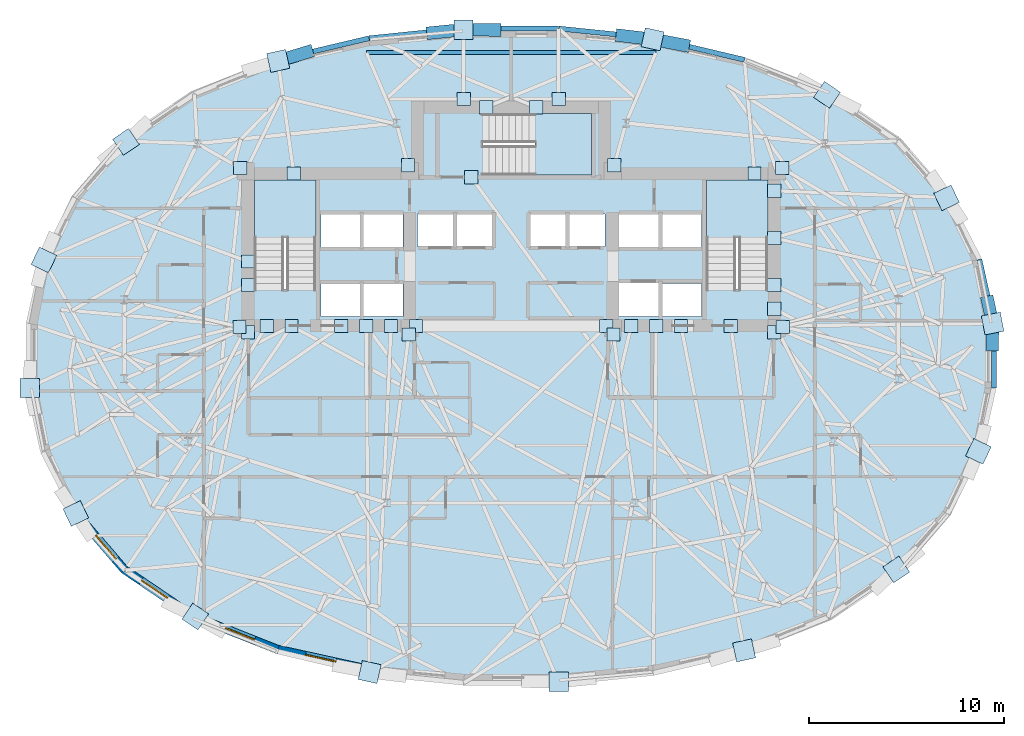
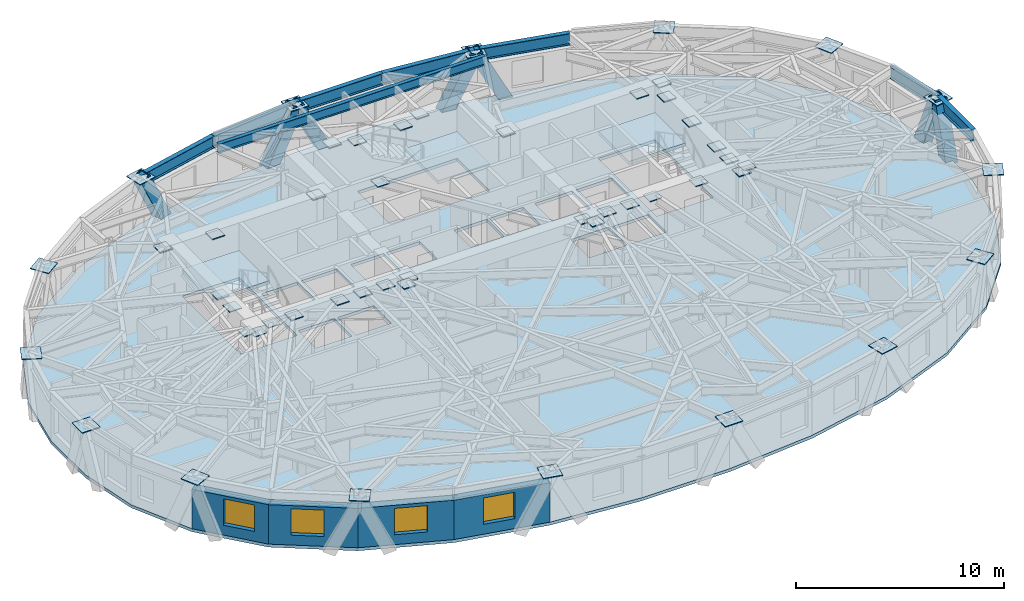
# One storey, part 5 of 14: 50 plates, 8 beams, 7 members, 4 slabs, 4 walls, 4 windows, 4 openings, 3 elements without a shape of their own.
"""IFC4 building model written with IfcOpenShell, lengths in metres."""

import ifcopenshell
import ifcopenshell.guid

model = None  # the IFC model being written
_history = None  # IfcOwnerHistory: only IFC2X3 demands one
_inside = {}  # id of a spatial element -> (the spatial element, [elements in it])
_under = {}  # id of a project, library or spatial element -> (it, [spatial elements below it])
_declared = {}  # id of a project -> (the project, [libraries it declares])
_typed = {}  # id of a type object -> (the type object, [elements of that type])
_made_of = {}  # id of a material, layer set ... -> (it, [elements and type objects made of it])


def new_model(schema):
    """Start an empty IFC model of exactly this schema.

    Asked for "IFC4X3", IfcOpenShell would pick the latest addendum, in which some entities
    have other attributes; the version numbers below select the first issue.
    IFC2X3 requires an IfcOwnerHistory on every rooted entity: one is made here for all.
    """
    global model, _history
    if schema == "IFC4X3":
        model = ifcopenshell.file(schema_version=(4, 3, 0, 0))
    else:
        model = ifcopenshell.file(schema=schema)
    _inside.clear()
    _under.clear()
    _declared.clear()
    _typed.clear()
    _made_of.clear()
    _history = None
    if model.schema == "IFC2X3":
        org = make("IfcOrganization", Name="unknown")
        user = make(
            "IfcPersonAndOrganization",
            ThePerson=make("IfcPerson", FamilyName="unknown"),
            TheOrganization=org,
        )
        app = make(
            "IfcApplication",
            ApplicationDeveloper=org,
            Version="unknown",
            ApplicationFullName="unknown",
            ApplicationIdentifier="unknown",
        )
        _history = make(
            "IfcOwnerHistory",
            OwningUser=user,
            OwningApplication=app,
            ChangeAction="ADDED",
            CreationDate=0,
        )
    return model


def make(cls, **values):
    """One entity of the class cls with the attributes given. An attribute that is None is left unset."""
    return model.create_entity(
        cls, **{name: value for name, value in values.items() if value is not None}
    )


def rooted(cls, **values):
    """An entity with a GlobalId (a new one), such as an element, a storey or a relation."""
    return make(cls, GlobalId=ifcopenshell.guid.new(), OwnerHistory=_history, **values)


def si_unit(unit_type, name, prefix=None):
    """IfcSIUnit, for example si_unit("LENGTHUNIT", "METRE", prefix="MILLI")."""
    return make("IfcSIUnit", UnitType=unit_type, Prefix=prefix, Name=name)


def assignment(units):
    """IfcUnitAssignment: the units of a project."""
    return None if units is None else make("IfcUnitAssignment", Units=units)


def point(xyz):
    """IfcCartesianPoint."""
    return None if xyz is None else make("IfcCartesianPoint", Coordinates=xyz)


def direction(xyz):
    """IfcDirection."""
    return None if xyz is None else make("IfcDirection", DirectionRatios=xyz)


def frame(location, z_axis=None, x_axis=None):
    """IfcAxis2Placement3D, a coordinate frame: its origin and axes. An axis left out is left unset."""
    return make(
        "IfcAxis2Placement3D",
        Location=point(location),
        Axis=direction(z_axis),
        RefDirection=direction(x_axis),
    )


def frame_2d(location, x_axis=None):
    """IfcAxis2Placement2D, a coordinate frame in the plane: its origin and x axis."""
    return make(
        "IfcAxis2Placement2D", Location=point(location), RefDirection=direction(x_axis)
    )


def origin():
    """The frame at (0, 0, 0) with its axes left unset."""
    return frame((0.0, 0.0, 0.0))


def origin_2d():
    """The frame at (0, 0) in the plane with its x axis left unset."""
    return frame_2d((0.0, 0.0))


def place(relative_to, where):
    """IfcLocalPlacement: puts the frame where relative to a parent placement (None: the world)."""
    return make(
        "IfcLocalPlacement", PlacementRelTo=relative_to, RelativePlacement=where
    )


def context(
    kind, dimensions, precision=None, world=None, true_north=None, identifier=None
):
    """IfcGeometricRepresentationContext, for example the 3D "Model" context."""
    return make(
        "IfcGeometricRepresentationContext",
        ContextIdentifier=identifier,
        ContextType=kind,
        CoordinateSpaceDimension=dimensions,
        Precision=precision,
        WorldCoordinateSystem=world,
        TrueNorth=true_north,
    )


def subcontext(parent, identifier, kind, view, scale=None):
    """IfcGeometricRepresentationSubContext, for example "Body" below "Model"."""
    return make(
        "IfcGeometricRepresentationSubContext",
        ContextIdentifier=identifier,
        ContextType=kind,
        ParentContext=parent,
        TargetScale=scale,
        TargetView=view,
    )


def project(units=None, contexts=None):
    """IfcProject with its units and contexts."""
    return rooted(
        "IfcProject",
        Name="project",
        RepresentationContexts=contexts,
        UnitsInContext=assignment(units),
    )


def spatial(cls, under=None, at=None, **own):
    """A site, building, storey or space (cls), placed at a placement, below another one or the project."""
    s = rooted(cls, ObjectPlacement=at, **own)
    if under is not None:
        _under.setdefault(under.id(), (under, []))[1].append(s)
    return s


def polyline(points):
    """IfcPolyline through the points."""
    return make("IfcPolyline", Points=[point(p) for p in points])


def profile(cls, at=None, kind="AREA", **sizes):
    """A parametric profile (cls). Its sizes go by their IFC names, for example OverallWidth=200.0."""
    return make(cls, ProfileType=kind, Position=at, **sizes)


def rectangle(**sizes):
    """IfcRectangleProfileDef."""
    return profile("IfcRectangleProfileDef", **sizes)


def hollow_rectangle(**sizes):
    """IfcRectangleHollowProfileDef."""
    return profile("IfcRectangleHollowProfileDef", **sizes)


def i_section(**sizes):
    """IfcIShapeProfileDef."""
    return profile("IfcIShapeProfileDef", **sizes)


def outline(outer, holes=None, kind="AREA"):
    """IfcArbitraryClosedProfileDef: a profile drawn as a closed curve; with holes, ...WithVoids."""
    if holes is None:
        return make("IfcArbitraryClosedProfileDef", ProfileType=kind, OuterCurve=outer)
    return make(
        "IfcArbitraryProfileDefWithVoids",
        ProfileType=kind,
        OuterCurve=outer,
        InnerCurves=holes,
    )


def extrude(swept, where, along, depth):
    """IfcExtrudedAreaSolid: the profile swept, set in the frame where, extruded along a direction by depth."""
    return make(
        "IfcExtrudedAreaSolid",
        SweptArea=swept,
        Position=where,
        ExtrudedDirection=direction(along),
        Depth=depth,
    )


def shape(context_of_items, identifier, shape_type, items):
    """IfcShapeRepresentation: the items that make up one representation, for example the "Body"."""
    return make(
        "IfcShapeRepresentation",
        ContextOfItems=context_of_items,
        RepresentationIdentifier=identifier,
        RepresentationType=shape_type,
        Items=items,
    )


def material(Name=None, Category=None):
    """IfcMaterial."""
    return make("IfcMaterial", Name=Name, Category=Category)


def layer(
    of_material, thickness, ventilated=None, Name=None, Category=None, Priority=None
):
    """IfcMaterialLayer: one layer of a wall or slab, of a material (None: an air gap)."""
    return make(
        "IfcMaterialLayer",
        Material=of_material,
        LayerThickness=thickness,
        IsVentilated=ventilated,
        Name=Name,
        Category=Category,
        Priority=Priority,
    )


def layer_set(layers, Name=None):
    """IfcMaterialLayerSet."""
    return make("IfcMaterialLayerSet", MaterialLayers=layers, LayerSetName=Name)


def material_profile(
    of_material, cross_section, Name=None, Category=None, Priority=None
):
    """IfcMaterialProfile: a cross section and its material."""
    return make(
        "IfcMaterialProfile",
        Name=Name,
        Material=of_material,
        Profile=cross_section,
        Priority=Priority,
        Category=Category,
    )


def profile_set(profiles, Name=None, composite=None):
    """IfcMaterialProfileSet."""
    return make(
        "IfcMaterialProfileSet",
        Name=Name,
        MaterialProfiles=profiles,
        CompositeProfile=composite,
    )


def made_of(thing, what):
    """Note that an element or type object is made of a material, layer set ...; save() writes the relation."""
    if what is not None:
        _made_of.setdefault(what.id(), (what, []))[1].append(thing)
    return thing


def type_object(cls, material=None, **own):
    """A type object (cls), such as IfcWallType, which elements share."""
    return made_of(rooted(cls, **own), material)


def element(
    cls,
    number,
    at=None,
    inside=None,
    cuts=None,
    type_object=None,
    material=None,
    context=None,
    identifier="Body",
    shape_type=None,
    held_by="IfcProductDefinitionShape",
    body=None,
    shapes=None,
    **own,
):
    """One element of the class cls, such as IfcWall. Its Tag is "e" and its number.

    at: its placement. inside: the storey or other place that contains it. cuts: it is an
    opening in that element (IfcRelVoidsElement). A single representation is given by context,
    identifier, shape_type and body (its items); several are given by shapes. held_by: the class
    of the entity that holds the representations. save() writes the other relations.
    """
    e = rooted(cls, Tag="e%d" % number, ObjectPlacement=at, **own)
    if body is not None:
        shapes = [shape(context, identifier, shape_type, body)]
    if shapes is not None:
        e.Representation = make(held_by, Representations=shapes)
    if inside is not None:
        _inside.setdefault(inside.id(), (inside, []))[1].append(e)
    if cuts is not None:
        rooted(
            "IfcRelVoidsElement", RelatingBuildingElement=cuts, RelatedOpeningElement=e
        )
    if type_object is not None:
        _typed.setdefault(type_object.id(), (type_object, []))[1].append(e)
    return made_of(e, material)


def fill(opening, filler):
    """IfcRelFillsElement: the door or window that sits in an opening."""
    return rooted(
        "IfcRelFillsElement",
        RelatingOpeningElement=opening,
        RelatedBuildingElement=filler,
    )


def aggregate(whole, parts):
    """IfcRelAggregates: a whole, such as a stair, and the parts it consists of."""
    return rooted("IfcRelAggregates", RelatingObject=whole, RelatedObjects=parts)


def save(model, path):
    """Write the relations noted so far, then the file.

    IfcRelAggregates (storeys below a building ...), IfcRelContainedInSpatialStructure (elements
    in a storey), IfcRelDefinesByType, IfcRelAssociatesMaterial and IfcRelDeclares: one each for
    every whole, place, type object, material and project.
    """
    for whole, parts in _under.values():
        aggregate(whole, parts)
    for where, things in _inside.values():
        rooted(
            "IfcRelContainedInSpatialStructure",
            RelatedElements=things,
            RelatingStructure=where,
        )
    for kind, things in _typed.values():
        rooted("IfcRelDefinesByType", RelatedObjects=things, RelatingType=kind)
    for what, things in _made_of.values():
        rooted("IfcRelAssociatesMaterial", RelatedObjects=things, RelatingMaterial=what)
    for by, libraries in _declared.values():
        rooted("IfcRelDeclares", RelatingContext=by, RelatedDefinitions=libraries)
    model.write(path)


model = new_model("IFC4")

# Units and contexts
model_context = context("Model", 3, precision=1e-05, world=origin(), true_north=direction((0.0, 1.0)))
body_context = subcontext(model_context, "Body", "Model", "MODEL_VIEW")
ifc_project = project(units=[si_unit("LENGTHUNIT", "METRE"), si_unit("AREAUNIT", "SQUARE_METRE"), si_unit("VOLUMEUNIT", "CUBIC_METRE"), si_unit("PLANEANGLEUNIT", "RADIAN"), si_unit("MASSUNIT", "GRAM", prefix="KILO")], contexts=[model_context])

# Site, building, storey
site_placement = place(None, origin())
site = spatial("IfcSite", under=ifc_project, at=site_placement, CompositionType="ELEMENT")
building_placement = place(site_placement, origin())
building = spatial("IfcBuilding", under=site, at=building_placement, Name="Keldmark Tower", CompositionType="ELEMENT")
storey_placement = place(building_placement, frame((0.0, 0.0, 153.39990234375)))
storey = spatial("IfcBuildingStorey", under=building, at=storey_placement, Name="L41", CompositionType="ELEMENT", Elevation=153.39990234375)

# Members
ifc_material_1 = material(Name="Steel ASTM A572 Grade 50", Category="steel")
ifc_material_profile_1 = material_profile(ifc_material_1, hollow_rectangle(XDim=0.64990234375, YDim=0.64990234375, WallThickness=0.0400390625, at=origin_2d()), Name="BOX650X650X40")
ifc_profile_set_1 = profile_set([ifc_material_profile_1], Name="Steel ASTM A572 Grade 50")
member_type = type_object("IfcMemberType", Name="Diagrid Zone 3 Brace BOX650X650X40", PredefinedType="BRACE", material=ifc_profile_set_1)
member_1_placement = place(storey_placement, frame((24.422119140625, 2.74169921875, -0.260009765625), z_axis=(0.071340478042, -0.327147049308, 0.942276681406), x_axis=(0.977038807017, 0.213061422091, 0.0)))
element("IfcMember", 1, at=member_1_placement, inside=storey, type_object=member_type, Name="L41 Perimeter Diagrid Brace 01A", PredefinedType="BRACE", context=body_context, shape_type="SweptSolid", body=[
    extrude(hollow_rectangle(XDim=0.64990234375, YDim=0.64990234375, WallThickness=0.0400390625, at=origin_2d()), origin(), (0.0, 0.0, 1.0), 3.353759765625),
])
member_2_placement = place(storey_placement, frame((8.84619140625, 15.9013671875, -0.260009765625), z_axis=(-0.449804063263, 0.085441480333, 0.889030965777), x_axis=(-0.186615762, -0.982432978566, 0.0)))
element("IfcMember", 2, at=member_2_placement, inside=storey, type_object=member_type, Name="L41 Perimeter Diagrid Brace 03B", PredefinedType="BRACE", context=body_context, shape_type="SweptSolid", body=[
    extrude(hollow_rectangle(XDim=0.64990234375, YDim=0.64990234375, WallThickness=0.0400390625, at=origin_2d()), origin(), (0.0, 0.0, 1.0), 3.5546875),
])
member_3_placement = place(storey_placement, frame((5.65673828125, 16.390380859375, -0.260009765625), z_axis=(0.451410084084, -0.053536134972, 0.890709165912), x_axis=(0.117772197661, 0.993040638372, 0.0)))
element("IfcMember", 3, at=member_3_placement, inside=storey, type_object=member_type, Name="L41 Perimeter Diagrid Brace 04A", PredefinedType="BRACE", context=body_context, shape_type="SweptSolid", body=[
    extrude(hollow_rectangle(XDim=0.64990234375, YDim=0.64990234375, WallThickness=0.0400390625, at=origin_2d()), origin(), (0.0, 0.0, 1.0), 3.5478515625),
])
member_4_placement = place(storey_placement, frame((-0.81689453125, 16.68212890625, -0.260009765625), z_axis=(-0.457022303515, 0.004329033998, 0.889444699548), x_axis=(-0.009471834896, -0.999955141166, 0.0)))
element("IfcMember", 4, at=member_4_placement, inside=storey, type_object=member_type, Name="L41 Perimeter Diagrid Brace 04B", PredefinedType="BRACE", context=body_context, shape_type="SweptSolid", body=[
    extrude(hollow_rectangle(XDim=0.64990234375, YDim=0.64990234375, WallThickness=0.0400390625, at=origin_2d()), origin(), (0.0, 0.0, 1.0), 3.552978515625),
])
member_5_placement = place(storey_placement, frame((-4.047607421875, 16.53515625, -0.260009765625), z_axis=(0.455407992889, 0.045678177266, 0.889110265453), x_axis=(-0.099800895841, 0.995007427706, 0.0)))
element("IfcMember", 5, at=member_5_placement, inside=storey, type_object=member_type, Name="L41 Perimeter Diagrid Brace 05A", PredefinedType="BRACE", context=body_context, shape_type="SweptSolid", body=[
    extrude(hollow_rectangle(XDim=0.64990234375, YDim=0.64990234375, WallThickness=0.0400390625, at=origin_2d()), origin(), (0.0, 0.0, 1.0), 3.55419921875),
])
member_6_placement = place(storey_placement, frame((-10.43701171875, 15.55029296875, -0.260009765625), z_axis=(-0.42398966693, -0.128817507431, 0.896459040958), x_axis=(0.29070136172, -0.956813836801, 0.0)))
element("IfcMember", 6, at=member_6_placement, inside=storey, type_object=member_type, Name="L41 Perimeter Diagrid Brace 05B", PredefinedType="BRACE", context=body_context, shape_type="SweptSolid", body=[
    extrude(hollow_rectangle(XDim=0.64990234375, YDim=0.64990234375, WallThickness=0.0400390625, at=origin_2d()), origin(), (0.0, 0.0, 1.0), 3.525146484375),
])
member_7_placement = place(storey_placement, frame((24.638916015625, 0.555419921875, -0.260009765625), z_axis=(0.006711651637, 0.32901683566, 0.944300204164), x_axis=(-0.999792003005, 0.020394870128, 0.0)))
element("IfcMember", 7, at=member_7_placement, inside=storey, type_object=member_type, Name="L41 Perimeter Diagrid Brace 16B", PredefinedType="BRACE", context=body_context, shape_type="SweptSolid", body=[
    extrude(hollow_rectangle(XDim=0.64990234375, YDim=0.64990234375, WallThickness=0.0400390625, at=origin_2d()), origin(), (0.0, 0.0, 1.0), 3.3466796875),
])

# Beams
ifc_material_2 = material(Name="Steel ASTM A992 Grade 50", Category="steel")
ifc_material_profile_2 = material_profile(ifc_material_2, i_section(OverallWidth=0.2099609375, OverallDepth=0.537109375, WebThickness=0.010986328125, FlangeThickness=0.017333984375, at=origin_2d()), Name="W21X68")
ifc_profile_set_2 = profile_set([ifc_material_profile_2], Name="Steel ASTM A992 Grade 50")
beam_type_1 = type_object("IfcBeamType", Name="Radial Tie Girder W21X68", PredefinedType="BEAM", material=ifc_profile_set_2)
beam_1_placement = place(storey_placement, frame((-7.41552734375, 15.522216796875, 2.751708984375), z_axis=(1.0, 0.0, 0.0), x_axis=(0.0, 1.0, 0.0)))
element("IfcBeam", 8, at=beam_1_placement, inside=storey, type_object=beam_type_1, Name="L41 North Outer Header Girder FG-TCN-H1", PredefinedType="BEAM", context=body_context, shape_type="SweptSolid", body=[
    extrude(i_section(OverallWidth=0.2099609375, OverallDepth=0.537109375, WebThickness=0.010986328125, FlangeThickness=0.017333984375, at=origin_2d()), origin(), (0.0, 0.0, 1.0), 14.8310546875),
])
ifc_material_3 = material(Name="Steel ASTM A992 Grade 50", Category="steel")
ifc_material_profile_3 = material_profile(ifc_material_3, i_section(OverallWidth=0.256103515625, OverallDepth=0.693115234375, WebThickness=0.014404296875, FlangeThickness=0.023681640625, at=origin_2d()), Name="W27X114")
ifc_profile_set_3 = profile_set([ifc_material_profile_3], Name="Steel ASTM A992 Grade 50")
beam_type_2 = type_object("IfcBeamType", Name="Spandrel Ring Beam W27X114", PredefinedType="SPANDREL", material=ifc_profile_set_3)
beam_2_placement = place(storey_placement, frame((24.72119140625, 1.650390625, 2.673583984375), z_axis=(-0.219082064113, 0.975706435965, 0.0), x_axis=(-0.975706435965, -0.219082064113, 0.0)))
element("IfcBeam", 9, at=beam_2_placement, inside=storey, type_object=beam_type_2, Name="L41 Perimeter Spandrel Ring Beam SRB-01", PredefinedType="SPANDREL", context=body_context, shape_type="SweptSolid", body=[
    extrude(i_section(OverallWidth=0.256103515625, OverallDepth=0.693115234375, WebThickness=0.014404296875, FlangeThickness=0.023681640625, at=origin_2d()), origin(), (0.0, 0.0, 1.0), 3.36328125),
])
beam_3_placement = place(storey_placement, frame((11.948974609375, 15.153564453125, 2.673583984375), z_axis=(-0.973201371538, 0.229954539936, 0.0), x_axis=(-0.229954539936, -0.973201371538, 0.0)))
element("IfcBeam", 10, at=beam_3_placement, inside=storey, type_object=beam_type_2, Name="L41 Perimeter Spandrel Ring Beam SRB-06", PredefinedType="SPANDREL", context=body_context, shape_type="SweptSolid", body=[
    extrude(i_section(OverallWidth=0.256103515625, OverallDepth=0.693115234375, WebThickness=0.014404296875, FlangeThickness=0.023681640625, at=origin_2d()), origin(), (0.0, 0.0, 1.0), 4.802001953125),
])
beam_4_placement = place(storey_placement, frame((7.275634765625, 16.2578125, 2.673583984375), z_axis=(-0.994718319881, 0.10264240884, 0.0), x_axis=(-0.10264240884, -0.994718319881, 0.0)))
element("IfcBeam", 11, at=beam_4_placement, inside=storey, type_object=beam_type_2, Name="L41 Perimeter Spandrel Ring Beam SRB-07", PredefinedType="SPANDREL", context=body_context, shape_type="SweptSolid", body=[
    extrude(i_section(OverallWidth=0.256103515625, OverallDepth=0.693115234375, WebThickness=0.014404296875, FlangeThickness=0.023681640625, at=origin_2d()), origin(), (0.0, 0.0, 1.0), 4.866455078125),
])
beam_5_placement = place(storey_placement, frame((2.434814453125, 16.75732421875, 2.673583984375), z_axis=(-1.0, 0.0, 0.0), x_axis=(0.0, -1.0, 0.0)))
element("IfcBeam", 12, at=beam_5_placement, inside=storey, type_object=beam_type_2, Name="L41 Perimeter Spandrel Ring Beam SRB-08", PredefinedType="SPANDREL", context=body_context, shape_type="SweptSolid", body=[
    extrude(i_section(OverallWidth=0.256103515625, OverallDepth=0.693115234375, WebThickness=0.014404296875, FlangeThickness=0.023681640625, at=origin_2d()), origin(), (0.0, 0.0, 1.0), 4.86962890625),
])
beam_6_placement = place(storey_placement, frame((-2.434814453125, 16.75732421875, 2.673583984375), z_axis=(-0.994718319881, -0.10264240884, 0.0), x_axis=(0.10264240884, -0.994718319881, 0.0)))
element("IfcBeam", 13, at=beam_6_placement, inside=storey, type_object=beam_type_2, Name="L41 Perimeter Spandrel Ring Beam SRB-09", PredefinedType="SPANDREL", context=body_context, shape_type="SweptSolid", body=[
    extrude(i_section(OverallWidth=0.256103515625, OverallDepth=0.693115234375, WebThickness=0.014404296875, FlangeThickness=0.023681640625, at=origin_2d()), origin(), (0.0, 0.0, 1.0), 4.866455078125),
])
beam_7_placement = place(storey_placement, frame((-7.275634765625, 16.2578125, 2.673583984375), z_axis=(-0.973201371538, -0.229954539936, 0.0), x_axis=(0.229954539936, -0.973201371538, 0.0)))
element("IfcBeam", 14, at=beam_7_placement, inside=storey, type_object=beam_type_2, Name="L41 Perimeter Spandrel Ring Beam SRB-10", PredefinedType="SPANDREL", context=body_context, shape_type="SweptSolid", body=[
    extrude(i_section(OverallWidth=0.256103515625, OverallDepth=0.693115234375, WebThickness=0.014404296875, FlangeThickness=0.023681640625, at=origin_2d()), origin(), (0.0, 0.0, 1.0), 4.802001953125),
])
beam_8_placement = place(storey_placement, frame((24.72119140625, -1.650390625, 2.673583984375), z_axis=(0.0, 1.0, 0.0), x_axis=(-1.0, 0.0, 0.0)))
element("IfcBeam", 15, at=beam_8_placement, inside=storey, type_object=beam_type_2, Name="L41 Perimeter Spandrel Ring Beam SRB-32", PredefinedType="SPANDREL", context=body_context, shape_type="SweptSolid", body=[
    extrude(i_section(OverallWidth=0.256103515625, OverallDepth=0.693115234375, WebThickness=0.014404296875, FlangeThickness=0.023681640625, at=origin_2d()), origin(), (0.0, 0.0, 1.0), 3.30078125),
])

# Plates
ifc_material_4 = material(Name="Steel ASTM A572 Grade 50", Category="steel")
ifc_layer_1 = layer(ifc_material_4, 0.06005859375)
ifc_layer_set_1 = layer_set([ifc_layer_1], Name="Steel ASTM A572 Grade 50")
plate_type_1 = type_object("IfcPlateType", Name="Belt Truss Kink Node Assembly KN01 60 mm", PredefinedType="USERDEFINED", material=ifc_layer_set_1)
for number, where, z_axis, x_axis, name in (
    (16, (13.91162109375, 1.473388671875, 2.72412109375), (0.0, 0.0, 1.0), (1.0, 0.0, 0.0), "L41 Core Wall Cast-In Embed Plate 1204"),
    (17, (13.878173828125, 9.608154296875, 2.72412109375), (0.0, 0.0, 1.0), (1.0, 0.0, 0.0), "L41 Core Wall Cast-In Embed Plate 1205"),
    (18, (5.28515625, 9.758544921875, 2.72412109375), (0.0, 0.0, 1.0), (1.0, 0.0, 0.0), "L41 Core Wall Cast-In Embed Plate 1206"),
    (19, (-5.28515625, 9.758544921875, 2.72412109375), (0.0, 0.0, 1.0), (1.0, 0.0, 0.0), "L41 Core Wall Cast-In Embed Plate 1207"),
    (20, (-13.878173828125, 9.608154296875, 2.72412109375), (0.0, 0.0, 1.0), (1.0, 0.0, 0.0), "L41 Core Wall Cast-In Embed Plate 1208"),
    (21, (-13.91162109375, 1.473388671875, 2.72412109375), (0.0, 0.0, 1.0), (1.0, 0.0, 0.0), "L41 Core Wall Cast-In Embed Plate 1209"),
    (22, (-5.24072265625, 1.08251953125, 2.72412109375), (0.0, 0.0, 1.0), (1.0, 0.0, 0.0), "L41 Core Wall Cast-In Embed Plate 1210"),
    (23, (5.24072265625, 1.08251953125, 2.72412109375), (0.0, 0.0, 1.0), (1.0, 0.0, 0.0), "L41 Core Wall Cast-In Embed Plate 1211"),
    (24, (13.47509765625, 6.028564453125, 2.72412109375), (0.0, 0.0, 1.0), (1.0, 0.0, 0.0), "L41 Core Wall Cast-In Embed Plate 1212"),
    (25, (-12.52490234375, 1.52490234375, 2.72412109375), (0.0, 0.0, 1.0), (1.0, 0.0, 0.0), "L41 Core Wall Cast-In Embed Plate 1213"),
    (26, (11.25, 1.52490234375, 2.72412109375), (0.0, 0.0, 1.0), (1.0, 0.0, 0.0), "L41 Core Wall Cast-In Embed Plate 1214"),
    (27, (13.47509765625, 8.44287109375, 2.72412109375), (0.0, 0.0, 1.0), (1.0, 0.0, 0.0), "L41 Core Wall Cast-In Embed Plate 1215"),
    (28, (12.468017578125, 9.324951171875, 2.72412109375), (0.0, 0.0, 1.0), (1.0, 0.0, 0.0), "L41 Core Wall Cast-In Embed Plate 1216"),
    (29, (-13.47509765625, 3.6142578125, 2.72412109375), (0.0, 0.0, 1.0), (1.0, 0.0, 0.0), "L41 Core Wall Cast-In Embed Plate 1217"),
    (30, (-11.25, 1.52490234375, 2.72412109375), (0.0, 0.0, 1.0), (1.0, 0.0, 0.0), "L41 Core Wall Cast-In Embed Plate 1218"),
    (31, (-8.699951171875, 1.52490234375, 2.72412109375), (0.0, 0.0, 1.0), (1.0, 0.0, 0.0), "L41 Core Wall Cast-In Embed Plate 1219"),
    (32, (-13.47509765625, 1.199951171875, 2.72412109375), (0.0, 0.0, 1.0), (1.0, 0.0, 0.0), "L41 Core Wall Cast-In Embed Plate 1220"),
    (33, (-6.14990234375, 1.52490234375, 2.72412109375), (0.0, 0.0, 1.0), (1.0, 0.0, 0.0), "L41 Core Wall Cast-In Embed Plate 1221"),
    (34, (-7.425048828125, 1.52490234375, 2.72412109375), (0.0, 0.0, 1.0), (1.0, 0.0, 0.0), "L41 Core Wall Cast-In Embed Plate 1222"),
    (35, (6.14990234375, 1.52490234375, 2.72412109375), (0.0, 0.0, 1.0), (1.0, 0.0, 0.0), "L41 Core Wall Cast-In Embed Plate 1223"),
    (36, (13.47509765625, 1.199951171875, 2.72412109375), (0.0, 0.0, 1.0), (1.0, 0.0, 0.0), "L41 Core Wall Cast-In Embed Plate 1224"),
    (37, (8.699951171875, 1.52490234375, 2.72412109375), (0.0, 0.0, 1.0), (1.0, 0.0, 0.0), "L41 Core Wall Cast-In Embed Plate 1225"),
    (38, (-2.04296875, 9.139892578125, 2.72412109375), (0.0, 0.0, 1.0), (1.0, 0.0, 0.0), "L41 Core Wall Cast-In Embed Plate 1226"),
    (39, (13.47509765625, 2.406982421875, 2.72412109375), (0.0, 0.0, 1.0), (1.0, 0.0, 0.0), "L41 Core Wall Cast-In Embed Plate 1227"),
    (40, (13.47509765625, 3.6142578125, 2.72412109375), (0.0, 0.0, 1.0), (1.0, 0.0, 0.0), "L41 Core Wall Cast-In Embed Plate 1228"),
    (41, (2.434814453125, 13.14990234375, 2.72412109375), (0.0, 0.0, 1.0), (1.0, 0.0, 0.0), "L41 Core Wall Cast-In Embed Plate 1229"),
    (42, (-2.434814453125, 13.14990234375, 2.72412109375), (0.0, 0.0, 1.0), (1.0, 0.0, 0.0), "L41 Core Wall Cast-In Embed Plate 1230"),
    (43, (-1.28125, 12.72509765625, 2.72412109375), (0.0, 0.0, 1.0), (1.0, 0.0, 0.0), "L41 Core Wall Cast-In Embed Plate 1231"),
    (44, (1.28125, 12.72509765625, 2.72412109375), (0.0, 0.0, 1.0), (1.0, 0.0, 0.0), "L41 Core Wall Cast-In Embed Plate 1232"),
    (45, (-11.1357421875, 9.324951171875, 2.72412109375), (0.0, 0.0, 1.0), (1.0, 0.0, 0.0), "L41 Core Wall Cast-In Embed Plate 1233"),
    (46, (-13.47509765625, 4.8212890625, 2.72412109375), (0.0, 0.0, 1.0), (1.0, 0.0, 0.0), "L41 Core Wall Cast-In Embed Plate 1234"),
    (47, (4.875, 1.52490234375, 2.72412109375), (0.0, 0.0, 1.0), (1.0, 0.0, 0.0), "L41 Core Wall Cast-In Embed Plate 1235"),
    (48, (7.425048828125, 1.52490234375, 2.72412109375), (0.0, 0.0, 1.0), (1.0, 0.0, 0.0), "L41 Core Wall Cast-In Embed Plate 1236"),
    (49, (-4.875, 1.52490234375, 2.72412109375), (0.0, 0.0, 1.0), (1.0, 0.0, 0.0), "L41 Core Wall Cast-In Embed Plate 1237"),
):
    element("IfcPlate", number, at=place(storey_placement, frame(where, z_axis=z_axis, x_axis=x_axis)), inside=storey, type_object=plate_type_1, Name=name, ObjectType="CAP PLATE", PredefinedType="USERDEFINED", context=body_context, shape_type="SweptSolid", body=[
        extrude(rectangle(XDim=0.679931640625, YDim=0.679931640625, at=origin_2d()), origin(), (0.0, 0.0, 1.0), 0.054931640625),
    ])
ifc_material_5 = material(Name="Steel ASTM A572 Grade 50", Category="steel")
ifc_layer_2 = layer(ifc_material_5, 0.044921875)
ifc_layer_set_2 = layer_set([ifc_layer_2], Name="Steel ASTM A572 Grade 50")
plate_type_2 = type_object("IfcPlateType", Name="Diagrid Node Assembly DN04 45 mm", PredefinedType="USERDEFINED", material=ifc_layer_set_2)
for number, where, z_axis, x_axis, name in (
    (50, (24.661376953125, 1.64453125, 2.877685546875), (0.0, 0.0, 1.0), (-0.1937206977, 0.981056721746, 0.0), "L41 Diagrid Node Assembly 01"),
    (51, (22.297607421875, 8.082275390625, 2.877685546875), (0.0, 0.0, 1.0), (-0.430826132274, 0.902434952642, 0.0), "L41 Diagrid Node Assembly 02"),
    (52, (16.17578125, 13.36083984375, 2.877685546875), (0.0, 0.0, 1.0), (-0.827766671236, 0.56107248907, 0.0), "L41 Diagrid Node Assembly 04"),
    (53, (7.247314453125, 16.205078125, 2.877685546875), (0.0, 0.0, 1.0), (-0.976784579603, 0.214223913346, 0.0), "L41 Diagrid Node Assembly 06"),
    (54, (-2.440673828125, 16.697509765625, 2.877685546875), (0.0, 0.0, 1.0), (-1.0, 0.0, 0.0), "L41 Diagrid Node Assembly 08"),
    (55, (-11.931640625, 15.09619140625, 2.877685546875), (0.0, 0.0, 1.0), (-0.976784579603, -0.214223913346, 0.0), "L41 Diagrid Node Assembly 10"),
    (56, (-19.728515625, 10.94970703125, 2.877685546875), (0.0, 0.0, 1.0), (-0.827766671236, -0.56107248907, 0.0), "L41 Diagrid Node Assembly 12"),
    (57, (-23.931396484375, 4.903564453125, 2.877685546875), (0.0, 0.0, 1.0), (-0.430826132274, -0.902434952642, 0.0), "L41 Diagrid Node Assembly 14"),
    (58, (-24.661376953125, -1.656494140625, 2.877685546875), (0.0, 0.0, 1.0), (0.0, -1.0, 0.0), "L41 Diagrid Node Assembly 16"),
    (59, (-22.297607421875, -8.082275390625, 2.877685546875), (0.0, 0.0, 1.0), (0.430826132274, -0.902434952642, 0.0), "L41 Diagrid Node Assembly 18"),
    (60, (-16.17578125, -13.36083984375, 2.877685546875), (0.0, 0.0, 1.0), (0.827766671236, -0.56107248907, 0.0), "L41 Diagrid Node Assembly 20"),
    (61, (-7.247314453125, -16.205078125, 2.877685546875), (0.0, 0.0, 1.0), (0.976784579603, -0.214223913346, 0.0), "L41 Diagrid Node Assembly 22"),
    (62, (2.440673828125, -16.697509765625, 2.877685546875), (0.0, 0.0, 1.0), (1.0, 0.0, 0.0), "L41 Diagrid Node Assembly 24"),
    (63, (11.931640625, -15.09619140625, 2.877685546875), (0.0, 0.0, 1.0), (0.976784579603, 0.214223913346, 0.0), "L41 Diagrid Node Assembly 26"),
    (64, (19.728515625, -10.94970703125, 2.877685546875), (0.0, 0.0, 1.0), (0.827766671236, 0.56107248907, 0.0), "L41 Diagrid Node Assembly 28"),
    (65, (23.931396484375, -4.903564453125, 2.877685546875), (0.0, 0.0, 1.0), (0.430826132274, 0.902434952642, 0.0), "L41 Diagrid Node Assembly 30"),
):
    element("IfcPlate", number, at=place(storey_placement, frame(where, z_axis=z_axis, x_axis=x_axis)), inside=storey, type_object=plate_type_2, Name=name, ObjectType="GUSSET", PredefinedType="USERDEFINED", context=body_context, shape_type="SweptSolid", body=[
        extrude(rectangle(XDim=0.989990234375, YDim=0.989990234375, at=origin_2d()), origin(), (0.0, 0.0, 1.0), 0.044921875),
    ])

# Slab
ifc_material_6 = material(Name="Concrete C35/45", Category="concrete")
ifc_layer_3 = layer(ifc_material_6, 0.179931640625)
ifc_layer_set_3 = layer_set([ifc_layer_3], Name="Concrete C35/45")
slab_type_1 = type_object("IfcSlabType", Name="Hotel and Residential Slab 180 mm", PredefinedType="FLOOR", material=ifc_layer_set_3)
slab_1_placement = place(storey_placement, frame((0.0, 0.0, -0.179931640625)))
element("IfcSlab", 66, at=slab_1_placement, inside=storey, type_object=slab_type_1, Name="L41 Composite Structural Floor Slab", PredefinedType="FLOOR", context=body_context, shape_type="SweptSolid", body=[
    extrude(outline(polyline([(24.69873046875, 1.64892578125), (24.048095703125, 4.94482421875), (22.51416015625, 8.1572265625), (19.97509765625, 11.112060546875), (16.39306640625, 13.5400390625), (12.0341796875, 15.260986328125), (7.294921875, 16.30078125), (2.4326171875, 16.741943359375), (-2.4326171875, 16.741943359375), (-7.294921875, 16.30078125), (-12.0341796875, 15.260986328125), (-16.39306640625, 13.5400390625), (-19.97509765625, 11.112060546875), (-22.51416015625, 8.1572265625), (-24.048095703125, 4.94482421875), (-24.69873046875, 1.64892578125), (-24.69873046875, -1.64892578125), (-24.048095703125, -4.94482421875), (-22.51416015625, -8.1572265625), (-19.97509765625, -11.112060546875), (-16.39306640625, -13.5400390625), (-12.0341796875, -15.260986328125), (-7.294921875, -16.30078125), (-2.4326171875, -16.741943359375), (2.4326171875, -16.741943359375), (7.294921875, -16.30078125), (12.0341796875, -15.260986328125), (16.39306640625, -13.5400390625), (19.97509765625, -11.112060546875), (22.51416015625, -8.1572265625), (24.048095703125, -4.94482421875), (24.69873046875, -1.64892578125), (24.69873046875, 1.64892578125)]), holes=[polyline([(-10.0, 3.385009765625), (-10.0, 9.0), (-13.14990234375, 9.0), (-13.14990234375, 3.385009765625), (-10.0, 3.385009765625)]), polyline([(13.14990234375, 3.385009765625), (13.14990234375, 9.0), (10.0, 9.0), (10.0, 3.385009765625), (13.14990234375, 3.385009765625)]), polyline([(-1.43994140625, 9.25), (4.10498046875, 9.25), (4.10498046875, 12.39990234375), (-1.43994140625, 12.39990234375), (-1.43994140625, 9.25)]), polyline([(-9.75, 2.0), (-7.75, 2.0), (-7.75, 3.699951171875), (-9.75, 3.699951171875), (-9.75, 2.0)]), polyline([(7.75, 2.0), (9.75, 2.0), (9.75, 3.699951171875), (7.75, 3.699951171875), (7.75, 2.0)]), polyline([(5.449951171875, 2.0), (7.550048828125, 2.0), (7.550048828125, 3.75), (5.449951171875, 3.75), (5.449951171875, 2.0)]), polyline([(-4.800048828125, 5.60009765625), (-2.949951171875, 5.60009765625), (-2.949951171875, 7.25), (-4.800048828125, 7.25), (-4.800048828125, 5.60009765625)]), polyline([(-2.800048828125, 5.60009765625), (-0.949951171875, 5.60009765625), (-0.949951171875, 7.25), (-2.800048828125, 7.25), (-2.800048828125, 5.60009765625)]), polyline([(0.949951171875, 5.60009765625), (2.800048828125, 5.60009765625), (2.800048828125, 7.25), (0.949951171875, 7.25), (0.949951171875, 5.60009765625)]), polyline([(2.949951171875, 5.60009765625), (4.800048828125, 5.60009765625), (4.800048828125, 7.25), (2.949951171875, 7.25), (2.949951171875, 5.60009765625)]), polyline([(-9.75, 5.550048828125), (-7.75, 5.550048828125), (-7.75, 7.25), (-9.75, 7.25), (-9.75, 5.550048828125)]), polyline([(-7.550048828125, 5.550048828125), (-5.550048828125, 5.550048828125), (-5.550048828125, 7.25), (-7.550048828125, 7.25), (-7.550048828125, 5.550048828125)]), polyline([(-7.550048828125, 2.0), (-5.550048828125, 2.0), (-5.550048828125, 3.699951171875), (-7.550048828125, 3.699951171875), (-7.550048828125, 2.0)]), polyline([(5.449951171875, 5.550048828125), (7.550048828125, 5.550048828125), (7.550048828125, 7.25), (5.449951171875, 7.25), (5.449951171875, 5.550048828125)]), polyline([(7.75, 5.550048828125), (9.75, 5.550048828125), (9.75, 7.25), (7.75, 7.25), (7.75, 5.550048828125)])]), origin(), (0.0, 0.0, 1.0), 0.179931640625),
])

# Stair, slab
ifc_material_7 = material(Name="Concrete C40/50", Category="concrete")
stair_type = type_object("IfcStairType", Name="Precast Concrete Core Exit Stair", PredefinedType="HALF_TURN_STAIR", material=ifc_material_7)
stair_1_placement = place(storey_placement, origin())
stair_1 = element("IfcStair", 67, at=stair_1_placement, inside=storey, type_object=stair_type, Name="L41 Exit Stair ST1", PredefinedType="HALF_TURN_STAIR")
ifc_material_8 = material(Name="Concrete C40/50", Category="concrete")
ifc_layer_4 = layer(ifc_material_8, 0.199951171875)
ifc_layer_set_4 = layer_set([ifc_layer_4], Name="Concrete C40/50")
slab_type_2 = type_object("IfcSlabType", Name="Reinforced Concrete Stair Landing 200 mm", PredefinedType="LANDING", material=ifc_layer_set_4)
slab_2_placement = place(storey_placement, frame((0.0, 0.0, 1.400146484375)))
slab_2 = element("IfcSlab", 68, at=slab_2_placement, type_object=slab_type_2, Name="ST1 landing 1", PredefinedType="LANDING", context=body_context, shape_type="SweptSolid", body=[
    extrude(outline(polyline([(-10.0, 6.050048828125), (-10.0, 9.0), (-13.14990234375, 9.0), (-13.14990234375, 6.050048828125), (-10.0, 6.050048828125)])), origin(), (0.0, 0.0, 1.0), 0.199951171875),
])
aggregate(stair_1, [slab_2])

stair_2_placement = place(storey_placement, origin())
stair_2 = element("IfcStair", 69, at=stair_2_placement, inside=storey, type_object=stair_type, Name="L41 Exit Stair ST2", PredefinedType="HALF_TURN_STAIR")
slab_3_placement = place(storey_placement, frame((0.0, 0.0, 1.400146484375)))
slab_3 = element("IfcSlab", 70, at=slab_3_placement, type_object=slab_type_2, Name="ST2 landing 1", PredefinedType="LANDING", context=body_context, shape_type="SweptSolid", body=[
    extrude(outline(polyline([(13.14990234375, 6.050048828125), (13.14990234375, 9.0), (10.0, 9.0), (10.0, 6.050048828125), (13.14990234375, 6.050048828125)])), origin(), (0.0, 0.0, 1.0), 0.199951171875),
])
aggregate(stair_2, [slab_3])

stair_3_placement = place(storey_placement, origin())
stair_3 = element("IfcStair", 71, at=stair_3_placement, inside=storey, type_object=stair_type, Name="L41 Exit Stair ST3", PredefinedType="HALF_TURN_STAIR")
slab_4_placement = place(storey_placement, frame((0.0, 0.0, 1.400146484375)))
slab_4 = element("IfcSlab", 72, at=slab_4_placement, type_object=slab_type_2, Name="ST3 landing 1", PredefinedType="LANDING", context=body_context, shape_type="SweptSolid", body=[
    extrude(outline(polyline([(1.22509765625, 9.25), (4.10498046875, 9.25), (4.10498046875, 12.39990234375), (1.22509765625, 12.39990234375), (1.22509765625, 9.25)])), origin(), (0.0, 0.0, 1.0), 0.199951171875),
])
aggregate(stair_3, [slab_4])

# Wall, opening, window
ifc_material_9 = material(Name="Ironspot Manganese Brick and Kasota Buff Limestone Spandrel Assembly", Category="masonry")
ifc_layer_5 = layer(ifc_material_9, 0.43994140625)
ifc_layer_set_5 = layer_set([ifc_layer_5], Name="Ironspot Manganese Brick and Kasota Buff Limestone Spandrel Assembly")
wall_type = type_object("IfcWallType", Name="Tower Brick Pier and Spandrel Wall 440 mm", PredefinedType="STANDARD", material=ifc_layer_set_5)
wall_1_placement = place(storey_placement, frame((-19.80810546875, -10.968505859375, 0.0), z_axis=(0.0, 0.0, 1.0), x_axis=(-0.651797156524, 0.758393345664, 0.0)))
wall_1 = element("IfcWall", 73, at=wall_1_placement, inside=storey, type_object=wall_type, Name="L41 Exterior Brick and Spandrel Wall 19", PredefinedType="STANDARD", context=body_context, shape_type="SweptSolid", body=[
    extrude(rectangle(XDim=3.895751953125, YDim=0.43994140625, at=frame_2d((1.94775390625, 0.0))), origin(), (0.0, 0.0, 1.0), 2.315185546875),
])
opening_1_placement = place(wall_1_placement, frame((0.698974609375, 0.0, 0.580078125)))
opening_1 = element("IfcOpeningElement", 74, at=opening_1_placement, cuts=wall_1, Name="Opening W-04", PredefinedType="OPENING", context=body_context, shape_type="SweptSolid", body=[
    extrude(rectangle(XDim=1.60009765625, YDim=1.550048828125, at=frame_2d((0.800048828125, 0.77490234375))), frame((0.0, 0.22998046875, 0.0), z_axis=(0.0, -1.0, 0.0), x_axis=(1.0, 0.0, 0.0)), (0.0, 0.0, 1.0), 0.4599609375),
])
ifc_material_10 = material(Name="Thermally Broken Anodized Aluminum and Triple Low-E Argon Glazing", Category="aluminium")
window_type = type_object("IfcWindowType", Name="Hotel Deep-Set Operable Window 1600x1550", PartitioningType="DOUBLE_PANEL_HORIZONTAL", PredefinedType="WINDOW", material=ifc_material_10)
window_1_placement = place(opening_1_placement, origin())
window_1 = element("IfcWindow", 75, at=window_1_placement, inside=storey, type_object=window_type, Name="L41 Deep-Set Window 19", OverallHeight=1.550048828125, OverallWidth=1.60009765625, PartitioningType="SINGLE_PANEL", PredefinedType="WINDOW", context=body_context, shape_type="SweptSolid", body=[
    extrude(rectangle(XDim=1.60009765625, YDim=1.550048828125, at=frame_2d((0.800048828125, 0.77490234375))), frame((0.0, -0.010009765625, 0.0), z_axis=(0.0, -1.0, 0.0), x_axis=(1.0, 0.0, 0.0)), (0.0, 0.0, 1.0), 0.06005859375),
])
fill(opening_1, window_1)

wall_2_placement = place(storey_placement, frame((-16.269775390625, -13.35791015625, 0.0), z_axis=(0.0, 0.0, 1.0), x_axis=(-0.827746250701, 0.561102614902, 0.0)))
wall_2 = element("IfcWall", 76, at=wall_2_placement, inside=storey, type_object=wall_type, Name="L41 Exterior Brick and Spandrel Wall 20", PredefinedType="STANDARD", context=body_context, shape_type="SweptSolid", body=[
    extrude(rectangle(XDim=4.3271484375, YDim=0.43994140625, at=frame_2d((2.16357421875, 0.0))), origin(), (0.0, 0.0, 1.0), 2.315185546875),
])
opening_2_placement = place(wall_2_placement, frame((1.635986328125, 0.0, 0.580078125)))
opening_2 = element("IfcOpeningElement", 77, at=opening_2_placement, cuts=wall_2, Name="Opening W-04", PredefinedType="OPENING", context=body_context, shape_type="SweptSolid", body=[
    extrude(rectangle(XDim=1.60009765625, YDim=1.550048828125, at=frame_2d((0.800048828125, 0.77490234375))), frame((0.0, 0.22998046875, 0.0), z_axis=(0.0, -1.0, 0.0), x_axis=(1.0, 0.0, 0.0)), (0.0, 0.0, 1.0), 0.4599609375),
])
window_2_placement = place(opening_2_placement, origin())
window_2 = element("IfcWindow", 78, at=window_2_placement, inside=storey, type_object=window_type, Name="L41 Deep-Set Window 20", OverallHeight=1.550048828125, OverallWidth=1.60009765625, PartitioningType="SINGLE_PANEL", PredefinedType="WINDOW", context=body_context, shape_type="SweptSolid", body=[
    extrude(rectangle(XDim=1.60009765625, YDim=1.550048828125, at=frame_2d((0.800048828125, 0.77490234375))), frame((0.0, -0.010009765625, 0.0), z_axis=(0.0, -1.0, 0.0), x_axis=(1.0, 0.0, 0.0)), (0.0, 0.0, 1.0), 0.06005859375),
])
fill(opening_2, window_2)

wall_3_placement = place(storey_placement, frame((-11.953369140625, -15.056396484375, 0.0), z_axis=(0.0, 0.0, 1.0), x_axis=(-0.930130872211, 0.367228213186, 0.0)))
wall_3 = element("IfcWall", 79, at=wall_3_placement, inside=storey, type_object=wall_type, Name="L41 Exterior Brick and Spandrel Wall 21", PredefinedType="STANDARD", context=body_context, shape_type="SweptSolid", body=[
    extrude(rectangle(XDim=4.686279296875, YDim=0.43994140625, at=frame_2d((2.34326171875, 0.0))), origin(), (0.0, 0.0, 1.0), 2.315185546875),
])
opening_3_placement = place(wall_3_placement, frame((1.29443359375, 0.0, 0.580078125)))
opening_3 = element("IfcOpeningElement", 80, at=opening_3_placement, cuts=wall_3, Name="Opening W-04", PredefinedType="OPENING", context=body_context, shape_type="SweptSolid", body=[
    extrude(rectangle(XDim=1.60009765625, YDim=1.550048828125, at=frame_2d((0.800048828125, 0.77490234375))), frame((0.0, 0.22998046875, 0.0), z_axis=(0.0, -1.0, 0.0), x_axis=(1.0, 0.0, 0.0)), (0.0, 0.0, 1.0), 0.4599609375),
])
window_3_placement = place(opening_3_placement, origin())
window_3 = element("IfcWindow", 81, at=window_3_placement, inside=storey, type_object=window_type, Name="L41 Deep-Set Window 21", OverallHeight=1.550048828125, OverallWidth=1.60009765625, PartitioningType="SINGLE_PANEL", PredefinedType="WINDOW", context=body_context, shape_type="SweptSolid", body=[
    extrude(rectangle(XDim=1.60009765625, YDim=1.550048828125, at=frame_2d((0.800048828125, 0.77490234375))), frame((0.0, -0.010009765625, 0.0), z_axis=(0.0, -1.0, 0.0), x_axis=(1.0, 0.0, 0.0)), (0.0, 0.0, 1.0), 0.06005859375),
])
fill(opening_3, window_3)

wall_4_placement = place(storey_placement, frame((-7.247802734375, -16.0859375, 0.0), z_axis=(0.0, 0.0, 1.0), x_axis=(-0.976767211892, 0.214303088576, 0.0)))
wall_4 = element("IfcWall", 82, at=wall_4_placement, inside=storey, type_object=wall_type, Name="L41 Exterior Brick and Spandrel Wall 22", PredefinedType="STANDARD", context=body_context, shape_type="SweptSolid", body=[
    extrude(rectangle(XDim=4.85205078125, YDim=0.43994140625, at=frame_2d((2.426025390625, 0.0))), origin(), (0.0, 0.0, 1.0), 2.315185546875),
])
opening_4_placement = place(wall_4_placement, frame((1.7734375, 0.0, 0.580078125)))
opening_4 = element("IfcOpeningElement", 83, at=opening_4_placement, cuts=wall_4, Name="Opening W-04", PredefinedType="OPENING", context=body_context, shape_type="SweptSolid", body=[
    extrude(rectangle(XDim=1.60009765625, YDim=1.550048828125, at=frame_2d((0.800048828125, 0.77490234375))), frame((0.0, 0.22998046875, 0.0), z_axis=(0.0, -1.0, 0.0), x_axis=(1.0, 0.0, 0.0)), (0.0, 0.0, 1.0), 0.4599609375),
])
window_4_placement = place(opening_4_placement, origin())
window_4 = element("IfcWindow", 84, at=window_4_placement, inside=storey, type_object=window_type, Name="L41 Deep-Set Window 22", OverallHeight=1.550048828125, OverallWidth=1.60009765625, PartitioningType="SINGLE_PANEL", PredefinedType="WINDOW", context=body_context, shape_type="SweptSolid", body=[
    extrude(rectangle(XDim=1.60009765625, YDim=1.550048828125, at=frame_2d((0.800048828125, 0.77490234375))), frame((0.0, -0.010009765625, 0.0), z_axis=(0.0, -1.0, 0.0), x_axis=(1.0, 0.0, 0.0)), (0.0, 0.0, 1.0), 0.06005859375),
])
fill(opening_4, window_4)

save(model, "model.ifc")
